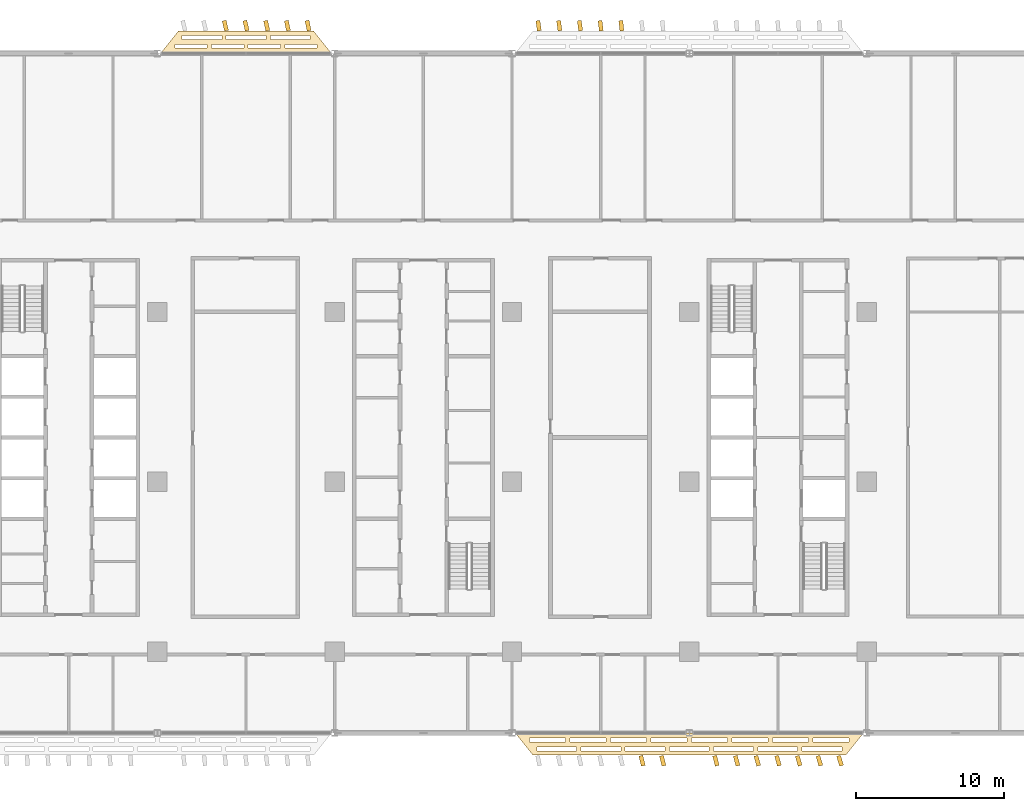
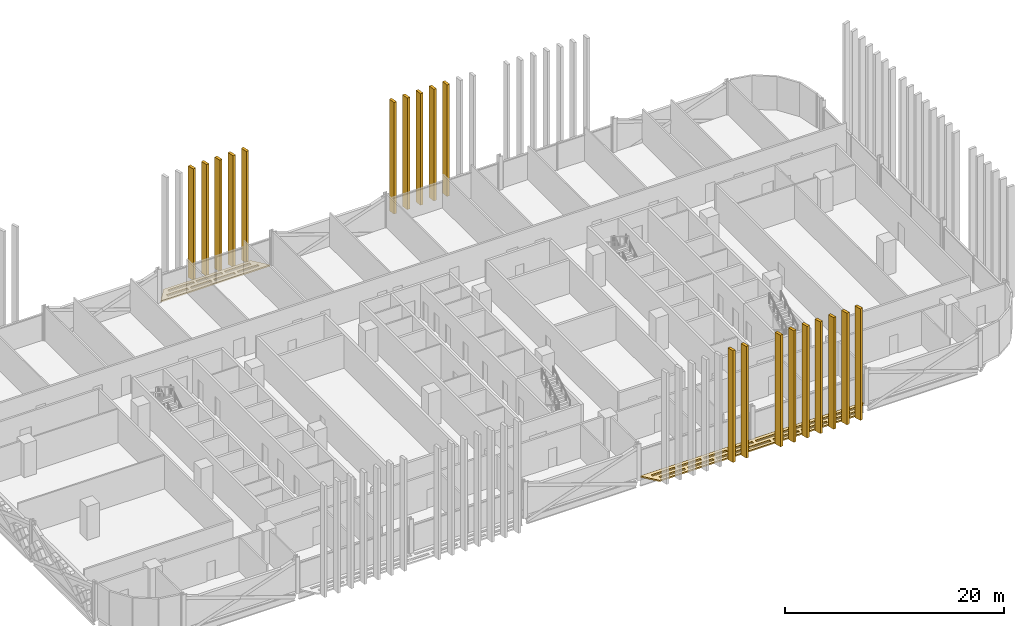
# One storey, part 29 of 32: 21 coverings.
"""IFC4 building model written with IfcOpenShell, lengths in metres."""

import ifcopenshell
import ifcopenshell.guid

model = None  # the IFC model being written
_history = None  # IfcOwnerHistory: only IFC2X3 demands one
_inside = {}  # id of a spatial element -> (the spatial element, [elements in it])
_under = {}  # id of a project, library or spatial element -> (it, [spatial elements below it])
_declared = {}  # id of a project -> (the project, [libraries it declares])
_typed = {}  # id of a type object -> (the type object, [elements of that type])
_made_of = {}  # id of a material, layer set ... -> (it, [elements and type objects made of it])


def new_model(schema):
    """Start an empty IFC model of exactly this schema.

    Asked for "IFC4X3", IfcOpenShell would pick the latest addendum, in which some entities
    have other attributes; the version numbers below select the first issue.
    IFC2X3 requires an IfcOwnerHistory on every rooted entity: one is made here for all.
    """
    global model, _history
    if schema == "IFC4X3":
        model = ifcopenshell.file(schema_version=(4, 3, 0, 0))
    else:
        model = ifcopenshell.file(schema=schema)
    _inside.clear()
    _under.clear()
    _declared.clear()
    _typed.clear()
    _made_of.clear()
    _history = None
    if model.schema == "IFC2X3":
        org = make("IfcOrganization", Name="unknown")
        user = make(
            "IfcPersonAndOrganization",
            ThePerson=make("IfcPerson", FamilyName="unknown"),
            TheOrganization=org,
        )
        app = make(
            "IfcApplication",
            ApplicationDeveloper=org,
            Version="unknown",
            ApplicationFullName="unknown",
            ApplicationIdentifier="unknown",
        )
        _history = make(
            "IfcOwnerHistory",
            OwningUser=user,
            OwningApplication=app,
            ChangeAction="ADDED",
            CreationDate=0,
        )
    return model


def make(cls, **values):
    """One entity of the class cls with the attributes given. An attribute that is None is left unset."""
    return model.create_entity(
        cls, **{name: value for name, value in values.items() if value is not None}
    )


def rooted(cls, **values):
    """An entity with a GlobalId (a new one), such as an element, a storey or a relation."""
    return make(cls, GlobalId=ifcopenshell.guid.new(), OwnerHistory=_history, **values)


def si_unit(unit_type, name, prefix=None):
    """IfcSIUnit, for example si_unit("LENGTHUNIT", "METRE", prefix="MILLI")."""
    return make("IfcSIUnit", UnitType=unit_type, Prefix=prefix, Name=name)


def assignment(units):
    """IfcUnitAssignment: the units of a project."""
    return None if units is None else make("IfcUnitAssignment", Units=units)


def point(xyz):
    """IfcCartesianPoint."""
    return None if xyz is None else make("IfcCartesianPoint", Coordinates=xyz)


def direction(xyz):
    """IfcDirection."""
    return None if xyz is None else make("IfcDirection", DirectionRatios=xyz)


def frame(location, z_axis=None, x_axis=None):
    """IfcAxis2Placement3D, a coordinate frame: its origin and axes. An axis left out is left unset."""
    return make(
        "IfcAxis2Placement3D",
        Location=point(location),
        Axis=direction(z_axis),
        RefDirection=direction(x_axis),
    )


def frame_2d(location, x_axis=None):
    """IfcAxis2Placement2D, a coordinate frame in the plane: its origin and x axis."""
    return make(
        "IfcAxis2Placement2D", Location=point(location), RefDirection=direction(x_axis)
    )


def origin():
    """The frame at (0, 0, 0) with its axes left unset."""
    return frame((0.0, 0.0, 0.0))


def origin_2d():
    """The frame at (0, 0) in the plane with its x axis left unset."""
    return frame_2d((0.0, 0.0))


def place(relative_to, where):
    """IfcLocalPlacement: puts the frame where relative to a parent placement (None: the world)."""
    return make(
        "IfcLocalPlacement", PlacementRelTo=relative_to, RelativePlacement=where
    )


def context(
    kind, dimensions, precision=None, world=None, true_north=None, identifier=None
):
    """IfcGeometricRepresentationContext, for example the 3D "Model" context."""
    return make(
        "IfcGeometricRepresentationContext",
        ContextIdentifier=identifier,
        ContextType=kind,
        CoordinateSpaceDimension=dimensions,
        Precision=precision,
        WorldCoordinateSystem=world,
        TrueNorth=true_north,
    )


def subcontext(parent, identifier, kind, view, scale=None):
    """IfcGeometricRepresentationSubContext, for example "Body" below "Model"."""
    return make(
        "IfcGeometricRepresentationSubContext",
        ContextIdentifier=identifier,
        ContextType=kind,
        ParentContext=parent,
        TargetScale=scale,
        TargetView=view,
    )


def project(units=None, contexts=None):
    """IfcProject with its units and contexts."""
    return rooted(
        "IfcProject",
        Name="project",
        RepresentationContexts=contexts,
        UnitsInContext=assignment(units),
    )


def spatial(cls, under=None, at=None, **own):
    """A site, building, storey or space (cls), placed at a placement, below another one or the project."""
    s = rooted(cls, ObjectPlacement=at, **own)
    if under is not None:
        _under.setdefault(under.id(), (under, []))[1].append(s)
    return s


def polyline(points):
    """IfcPolyline through the points."""
    return make("IfcPolyline", Points=[point(p) for p in points])


def profile(cls, at=None, kind="AREA", **sizes):
    """A parametric profile (cls). Its sizes go by their IFC names, for example OverallWidth=200.0."""
    return make(cls, ProfileType=kind, Position=at, **sizes)


def rectangle(**sizes):
    """IfcRectangleProfileDef."""
    return profile("IfcRectangleProfileDef", **sizes)


def outline(outer, holes=None, kind="AREA"):
    """IfcArbitraryClosedProfileDef: a profile drawn as a closed curve; with holes, ...WithVoids."""
    if holes is None:
        return make("IfcArbitraryClosedProfileDef", ProfileType=kind, OuterCurve=outer)
    return make(
        "IfcArbitraryProfileDefWithVoids",
        ProfileType=kind,
        OuterCurve=outer,
        InnerCurves=holes,
    )


def extrude(swept, where, along, depth):
    """IfcExtrudedAreaSolid: the profile swept, set in the frame where, extruded along a direction by depth."""
    return make(
        "IfcExtrudedAreaSolid",
        SweptArea=swept,
        Position=where,
        ExtrudedDirection=direction(along),
        Depth=depth,
    )


def shape(context_of_items, identifier, shape_type, items):
    """IfcShapeRepresentation: the items that make up one representation, for example the "Body"."""
    return make(
        "IfcShapeRepresentation",
        ContextOfItems=context_of_items,
        RepresentationIdentifier=identifier,
        RepresentationType=shape_type,
        Items=items,
    )


def material(Name=None, Category=None):
    """IfcMaterial."""
    return make("IfcMaterial", Name=Name, Category=Category)


def layer(
    of_material, thickness, ventilated=None, Name=None, Category=None, Priority=None
):
    """IfcMaterialLayer: one layer of a wall or slab, of a material (None: an air gap)."""
    return make(
        "IfcMaterialLayer",
        Material=of_material,
        LayerThickness=thickness,
        IsVentilated=ventilated,
        Name=Name,
        Category=Category,
        Priority=Priority,
    )


def layer_set(layers, Name=None):
    """IfcMaterialLayerSet."""
    return make("IfcMaterialLayerSet", MaterialLayers=layers, LayerSetName=Name)


def made_of(thing, what):
    """Note that an element or type object is made of a material, layer set ...; save() writes the relation."""
    if what is not None:
        _made_of.setdefault(what.id(), (what, []))[1].append(thing)
    return thing


def type_object(cls, material=None, **own):
    """A type object (cls), such as IfcWallType, which elements share."""
    return made_of(rooted(cls, **own), material)


def element(
    cls,
    number,
    at=None,
    inside=None,
    cuts=None,
    type_object=None,
    material=None,
    context=None,
    identifier="Body",
    shape_type=None,
    held_by="IfcProductDefinitionShape",
    body=None,
    shapes=None,
    **own,
):
    """One element of the class cls, such as IfcWall. Its Tag is "e" and its number.

    at: its placement. inside: the storey or other place that contains it. cuts: it is an
    opening in that element (IfcRelVoidsElement). A single representation is given by context,
    identifier, shape_type and body (its items); several are given by shapes. held_by: the class
    of the entity that holds the representations. save() writes the other relations.
    """
    e = rooted(cls, Tag="e%d" % number, ObjectPlacement=at, **own)
    if body is not None:
        shapes = [shape(context, identifier, shape_type, body)]
    if shapes is not None:
        e.Representation = make(held_by, Representations=shapes)
    if inside is not None:
        _inside.setdefault(inside.id(), (inside, []))[1].append(e)
    if cuts is not None:
        rooted(
            "IfcRelVoidsElement", RelatingBuildingElement=cuts, RelatedOpeningElement=e
        )
    if type_object is not None:
        _typed.setdefault(type_object.id(), (type_object, []))[1].append(e)
    return made_of(e, material)


def aggregate(whole, parts):
    """IfcRelAggregates: a whole, such as a stair, and the parts it consists of."""
    return rooted("IfcRelAggregates", RelatingObject=whole, RelatedObjects=parts)


def save(model, path):
    """Write the relations noted so far, then the file.

    IfcRelAggregates (storeys below a building ...), IfcRelContainedInSpatialStructure (elements
    in a storey), IfcRelDefinesByType, IfcRelAssociatesMaterial and IfcRelDeclares: one each for
    every whole, place, type object, material and project.
    """
    for whole, parts in _under.values():
        aggregate(whole, parts)
    for where, things in _inside.values():
        rooted(
            "IfcRelContainedInSpatialStructure",
            RelatedElements=things,
            RelatingStructure=where,
        )
    for kind, things in _typed.values():
        rooted("IfcRelDefinesByType", RelatedObjects=things, RelatingType=kind)
    for what, things in _made_of.values():
        rooted("IfcRelAssociatesMaterial", RelatedObjects=things, RelatingMaterial=what)
    for by, libraries in _declared.values():
        rooted("IfcRelDeclares", RelatingContext=by, RelatedDefinitions=libraries)
    model.write(path)


model = new_model("IFC4")

# Units and contexts
model_context = context("Model", 3, precision=1e-05, world=origin(), true_north=direction((0.0, 1.0)))
body_context = subcontext(model_context, "Body", "Model", "MODEL_VIEW")
ifc_project = project(units=[si_unit("LENGTHUNIT", "METRE"), si_unit("AREAUNIT", "SQUARE_METRE"), si_unit("VOLUMEUNIT", "CUBIC_METRE"), si_unit("PLANEANGLEUNIT", "RADIAN"), si_unit("MASSUNIT", "GRAM", prefix="KILO")], contexts=[model_context])

# Site, building, storey
site_placement = place(None, origin())
site = spatial("IfcSite", under=ifc_project, at=site_placement, CompositionType="ELEMENT")
building_placement = place(site_placement, origin())
building = spatial("IfcBuilding", under=site, at=building_placement, Name="Mahtab Terrace Research Tower", CompositionType="ELEMENT")
storey_placement = place(building_placement, frame((0.0, 0.0, 138.39990234375)))
storey = spatial("IfcBuildingStorey", under=building, at=storey_placement, Name="L32", CompositionType="ELEMENT", Elevation=138.39990234375)

# Coverings
ifc_material_1 = material(Name="Black anodised aluminium", Category="aluminium")
ifc_layer_1 = layer(ifc_material_1, 0.14990234375)
ifc_layer_set_1 = layer_set([ifc_layer_1], Name="Horizontal sunshade band")
covering_type_1 = type_object("IfcCoveringType", Name="Horizontal sunshade band", PredefinedType="CLADDING", material=ifc_layer_set_1)
covering_1_placement = place(storey_placement, frame((0.0, 0.0, -0.14990234375)))
element("IfcCovering", 1, at=covering_1_placement, inside=storey, type_object=covering_type_1, Name="Sunshade band L32 7", PredefinedType="CLADDING", context=body_context, shape_type="SweptSolid", body=[
    extrude(outline(polyline([(-6.218017578125, 29.0), (-17.781982421875, 29.0), (-16.58203125, 30.5), (-7.41796875, 30.5), (-6.218017578125, 29.0)]), holes=[polyline([(-7.197998046875, 29.35009765625), (-9.3740234375, 29.35009765625), (-9.3740234375, 29.60009765625), (-7.197998046875, 29.60009765625), (-7.197998046875, 29.35009765625)]), polyline([(-9.674072265625, 29.35009765625), (-11.85009765625, 29.35009765625), (-11.85009765625, 29.60009765625), (-9.674072265625, 29.60009765625), (-9.674072265625, 29.35009765625)]), polyline([(-12.14990234375, 29.35009765625), (-14.325927734375, 29.35009765625), (-14.325927734375, 29.60009765625), (-12.14990234375, 29.60009765625), (-12.14990234375, 29.35009765625)]), polyline([(-14.6259765625, 29.35009765625), (-16.802001953125, 29.35009765625), (-16.802001953125, 29.60009765625), (-14.6259765625, 29.60009765625), (-14.6259765625, 29.35009765625)]), polyline([(-7.677978515625, 29.949951171875), (-10.35888671875, 29.949951171875), (-10.35888671875, 30.199951171875), (-7.677978515625, 30.199951171875), (-7.677978515625, 29.949951171875)]), polyline([(-10.658935546875, 29.949951171875), (-13.341064453125, 29.949951171875), (-13.341064453125, 30.199951171875), (-10.658935546875, 30.199951171875), (-10.658935546875, 29.949951171875)]), polyline([(-13.64111328125, 29.949951171875), (-16.322021484375, 29.949951171875), (-16.322021484375, 30.199951171875), (-13.64111328125, 30.199951171875), (-13.64111328125, 29.949951171875)])]), origin(), (0.0, 0.0, 1.0), 0.14990234375),
])
covering_2_placement = place(storey_placement, frame((0.0, 0.0, -0.14990234375)))
element("IfcCovering", 2, at=covering_2_placement, inside=storey, type_object=covering_type_1, Name="Sunshade band L32 28", PredefinedType="CLADDING", context=body_context, shape_type="SweptSolid", body=[
    extrude(outline(polyline([(6.218017578125, -17.0), (29.781982421875, -17.0), (28.58203125, -18.5), (7.41796875, -18.5), (6.218017578125, -17.0)]), holes=[polyline([(7.197998046875, -17.35009765625), (9.635986328125, -17.35009765625), (9.635986328125, -17.60009765625), (7.197998046875, -17.60009765625), (7.197998046875, -17.35009765625)]), polyline([(9.93603515625, -17.35009765625), (12.3740234375, -17.35009765625), (12.3740234375, -17.60009765625), (9.93603515625, -17.60009765625), (9.93603515625, -17.35009765625)]), polyline([(12.674072265625, -17.35009765625), (15.112060546875, -17.35009765625), (15.112060546875, -17.60009765625), (12.674072265625, -17.60009765625), (12.674072265625, -17.35009765625)]), polyline([(15.412109375, -17.35009765625), (17.85009765625, -17.35009765625), (17.85009765625, -17.60009765625), (15.412109375, -17.60009765625), (15.412109375, -17.35009765625)]), polyline([(18.14990234375, -17.35009765625), (20.587890625, -17.35009765625), (20.587890625, -17.60009765625), (18.14990234375, -17.60009765625), (18.14990234375, -17.35009765625)]), polyline([(20.887939453125, -17.35009765625), (23.325927734375, -17.35009765625), (23.325927734375, -17.60009765625), (20.887939453125, -17.60009765625), (20.887939453125, -17.35009765625)]), polyline([(23.6259765625, -17.35009765625), (26.06396484375, -17.35009765625), (26.06396484375, -17.60009765625), (23.6259765625, -17.60009765625), (23.6259765625, -17.35009765625)]), polyline([(26.364013671875, -17.35009765625), (28.802001953125, -17.35009765625), (28.802001953125, -17.60009765625), (26.364013671875, -17.60009765625), (26.364013671875, -17.35009765625)]), polyline([(7.677978515625, -17.949951171875), (10.3701171875, -17.949951171875), (10.3701171875, -18.199951171875), (7.677978515625, -18.199951171875), (7.677978515625, -17.949951171875)]), polyline([(10.669921875, -17.949951171875), (13.362060546875, -17.949951171875), (13.362060546875, -18.199951171875), (10.669921875, -18.199951171875), (10.669921875, -17.949951171875)]), polyline([(13.662109375, -17.949951171875), (16.35400390625, -17.949951171875), (16.35400390625, -18.199951171875), (13.662109375, -18.199951171875), (13.662109375, -17.949951171875)]), polyline([(16.654052734375, -17.949951171875), (19.345947265625, -17.949951171875), (19.345947265625, -18.199951171875), (16.654052734375, -18.199951171875), (16.654052734375, -17.949951171875)]), polyline([(19.64599609375, -17.949951171875), (22.337890625, -17.949951171875), (22.337890625, -18.199951171875), (19.64599609375, -18.199951171875), (19.64599609375, -17.949951171875)]), polyline([(22.637939453125, -17.949951171875), (25.330078125, -17.949951171875), (25.330078125, -18.199951171875), (22.637939453125, -18.199951171875), (22.637939453125, -17.949951171875)]), polyline([(25.6298828125, -17.949951171875), (28.322021484375, -17.949951171875), (28.322021484375, -18.199951171875), (25.6298828125, -18.199951171875), (25.6298828125, -17.949951171875)])]), origin(), (0.0, 0.0, 1.0), 0.14990234375),
])
ifc_material_2 = material(Name="Bronze anodised aluminium", Category="aluminium")
ifc_layer_2 = layer(ifc_material_2, 0.1201171875)
ifc_layer_set_2 = layer_set([ifc_layer_2], Name="Vertical fin 700")
covering_type_2 = type_object("IfcCoveringType", Name="Vertical fin 700", PredefinedType="CLADDING", material=ifc_layer_set_2)
for number, where, z_axis, x_axis, name in (
    (3, (13.39990234375, 30.864013671875, -0.14990234375), (0.0, 0.0, 1.0), (-0.992945813063, -0.118569019226, 0.0), "Fin L32 N3"),
    (4, (12.0, 30.86474609375, -0.14990234375), (0.0, 0.0, 1.0), (-0.9922392066, -0.12434370465, 0.0), "Fin L32 N4"),
    (5, (10.60009765625, 30.865234375, -0.14990234375), (0.0, 0.0, 1.0), (-0.991499016526, -0.130114181502, 0.0), "Fin L32 N5"),
    (6, (9.199951171875, 30.86572265625, -0.14990234375), (0.0, 0.0, 1.0), (-0.990725267892, -0.135880254489, 0.0), "Fin L32 N6"),
    (7, (7.800048828125, 30.8662109375, -0.14990234375), (0.0, 0.0, 1.0), (-0.989917986891, -0.141641728418, 0.0), "Fin L32 N7"),
    (8, (-7.800048828125, 30.871337890625, -0.14990234375), (0.0, 0.0, 1.0), (-0.978662951719, -0.205472204767, 0.0), "Fin L32 N1"),
    (9, (-9.199951171875, 30.87158203125, -0.14990234375), (0.0, 0.0, 1.0), (-0.97745100758, -0.211162325667, 0.0), "Fin L32 N2"),
    (10, (-10.60009765625, 30.8720703125, -0.14990234375), (0.0, 0.0, 1.0), (-0.976205980352, -0.216845299523, 0.0), "Fin L32 N3"),
    (11, (-12.0, 30.872314453125, -0.14990234375), (0.0, 0.0, 1.0), (-0.974927912182, -0.222520933954, 0.0), "Fin L32 N4"),
    (12, (-13.39990234375, 30.872802734375, -0.14990234375), (0.0, 0.0, 1.0), (-0.973616846325, -0.228189036878, 0.0), "Fin L32 N5"),
    (13, (14.800048828125, -18.873046875, -0.14990234375), (0.0, 0.0, 1.0), (0.972272827152, 0.233849416469, 0.0), "Fin L32 S6"),
    (14, (16.199951171875, -18.873291015625, -0.14990234375), (0.0, 0.0, 1.0), (0.970895900159, 0.239501881108, 0.0), "Fin L32 S7"),
    (15, (19.800048828125, -18.8740234375, -0.14990234375), (0.0, 0.0, 1.0), (0.967204452546, 0.253999108219, 0.0), "Fin L32 S1"),
    (16, (21.199951171875, -18.874267578125, -0.14990234375), (0.0, 0.0, 1.0), (0.965710385828, 0.259621745437, 0.0), "Fin L32 S2"),
    (17, (22.60009765625, -18.87451171875, -0.14990234375), (0.0, 0.0, 1.0), (0.964183633406, 0.265235595407, 0.0), "Fin L32 S3"),
    (18, (24.0, -18.874755859375, -0.14990234375), (0.0, 0.0, 1.0), (0.962624246951, 0.270840468138, 0.0), "Fin L32 S4"),
    (19, (25.39990234375, -18.875, -0.14990234375), (0.0, 0.0, 1.0), (0.961032279237, 0.276436173942, 0.0), "Fin L32 S5"),
    (20, (26.800048828125, -18.875244140625, -0.14990234375), (0.0, 0.0, 1.0), (0.959407784156, 0.282022523392, 0.0), "Fin L32 S6"),
    (21, (28.199951171875, -18.87548828125, -0.14990234375), (0.0, 0.0, 1.0), (0.957750816686, 0.287599327427, 0.0), "Fin L32 S7"),
):
    element("IfcCovering", number, at=place(storey_placement, frame(where, z_axis=z_axis, x_axis=x_axis)), inside=storey, type_object=covering_type_2, Name=name, PredefinedType="CLADDING", context=body_context, shape_type="SweptSolid", body=[
        extrude(rectangle(XDim=0.280029296875, YDim=0.699951171875, at=origin_2d()), origin(), (0.0, 0.0, 1.0), 12.449951171875),
    ])

save(model, "model.ifc")
